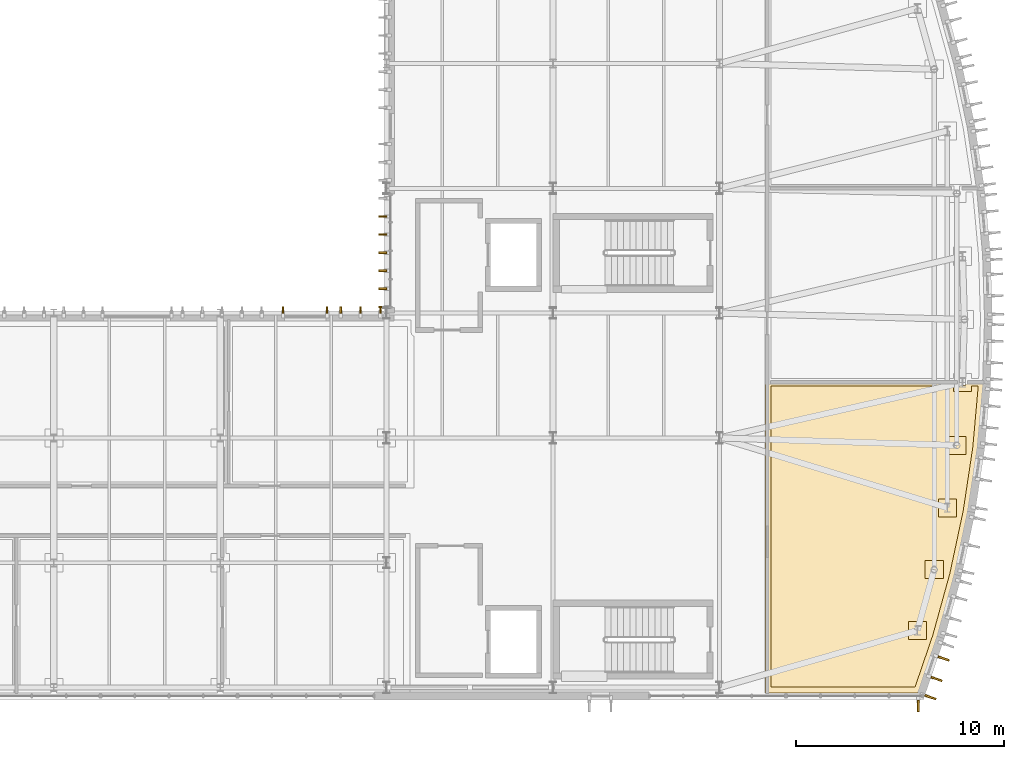
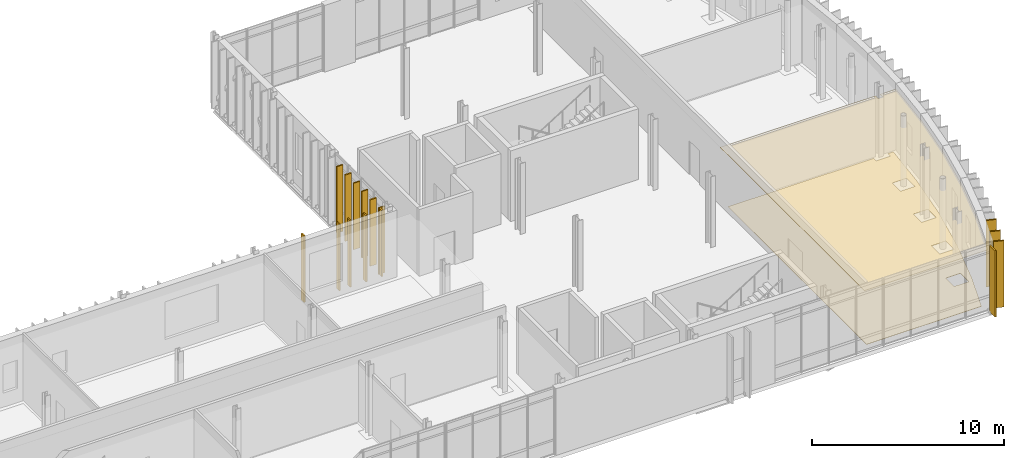
# One storey, part 98 of 100: 17 coverings.
"""IFC4 building model written with IfcOpenShell, lengths in metres."""

import ifcopenshell
import ifcopenshell.guid

model = None  # the IFC model being written
_history = None  # IfcOwnerHistory: only IFC2X3 demands one
_inside = {}  # id of a spatial element -> (the spatial element, [elements in it])
_under = {}  # id of a project, library or spatial element -> (it, [spatial elements below it])
_declared = {}  # id of a project -> (the project, [libraries it declares])
_typed = {}  # id of a type object -> (the type object, [elements of that type])
_made_of = {}  # id of a material, layer set ... -> (it, [elements and type objects made of it])


def new_model(schema):
    """Start an empty IFC model of exactly this schema.

    Asked for "IFC4X3", IfcOpenShell would pick the latest addendum, in which some entities
    have other attributes; the version numbers below select the first issue.
    IFC2X3 requires an IfcOwnerHistory on every rooted entity: one is made here for all.
    """
    global model, _history
    if schema == "IFC4X3":
        model = ifcopenshell.file(schema_version=(4, 3, 0, 0))
    else:
        model = ifcopenshell.file(schema=schema)
    _inside.clear()
    _under.clear()
    _declared.clear()
    _typed.clear()
    _made_of.clear()
    _history = None
    if model.schema == "IFC2X3":
        org = make("IfcOrganization", Name="unknown")
        user = make(
            "IfcPersonAndOrganization",
            ThePerson=make("IfcPerson", FamilyName="unknown"),
            TheOrganization=org,
        )
        app = make(
            "IfcApplication",
            ApplicationDeveloper=org,
            Version="unknown",
            ApplicationFullName="unknown",
            ApplicationIdentifier="unknown",
        )
        _history = make(
            "IfcOwnerHistory",
            OwningUser=user,
            OwningApplication=app,
            ChangeAction="ADDED",
            CreationDate=0,
        )
    return model


def make(cls, **values):
    """One entity of the class cls with the attributes given. An attribute that is None is left unset."""
    return model.create_entity(
        cls, **{name: value for name, value in values.items() if value is not None}
    )


def rooted(cls, **values):
    """An entity with a GlobalId (a new one), such as an element, a storey or a relation."""
    return make(cls, GlobalId=ifcopenshell.guid.new(), OwnerHistory=_history, **values)


def si_unit(unit_type, name, prefix=None):
    """IfcSIUnit, for example si_unit("LENGTHUNIT", "METRE", prefix="MILLI")."""
    return make("IfcSIUnit", UnitType=unit_type, Prefix=prefix, Name=name)


def assignment(units):
    """IfcUnitAssignment: the units of a project."""
    return None if units is None else make("IfcUnitAssignment", Units=units)


def point(xyz):
    """IfcCartesianPoint."""
    return None if xyz is None else make("IfcCartesianPoint", Coordinates=xyz)


def direction(xyz):
    """IfcDirection."""
    return None if xyz is None else make("IfcDirection", DirectionRatios=xyz)


def frame(location, z_axis=None, x_axis=None):
    """IfcAxis2Placement3D, a coordinate frame: its origin and axes. An axis left out is left unset."""
    return make(
        "IfcAxis2Placement3D",
        Location=point(location),
        Axis=direction(z_axis),
        RefDirection=direction(x_axis),
    )


def frame_2d(location, x_axis=None):
    """IfcAxis2Placement2D, a coordinate frame in the plane: its origin and x axis."""
    return make(
        "IfcAxis2Placement2D", Location=point(location), RefDirection=direction(x_axis)
    )


def origin():
    """The frame at (0, 0, 0) with its axes left unset."""
    return frame((0.0, 0.0, 0.0))


def origin_2d():
    """The frame at (0, 0) in the plane with its x axis left unset."""
    return frame_2d((0.0, 0.0))


def place(relative_to, where):
    """IfcLocalPlacement: puts the frame where relative to a parent placement (None: the world)."""
    return make(
        "IfcLocalPlacement", PlacementRelTo=relative_to, RelativePlacement=where
    )


def context(
    kind, dimensions, precision=None, world=None, true_north=None, identifier=None
):
    """IfcGeometricRepresentationContext, for example the 3D "Model" context."""
    return make(
        "IfcGeometricRepresentationContext",
        ContextIdentifier=identifier,
        ContextType=kind,
        CoordinateSpaceDimension=dimensions,
        Precision=precision,
        WorldCoordinateSystem=world,
        TrueNorth=true_north,
    )


def subcontext(parent, identifier, kind, view, scale=None):
    """IfcGeometricRepresentationSubContext, for example "Body" below "Model"."""
    return make(
        "IfcGeometricRepresentationSubContext",
        ContextIdentifier=identifier,
        ContextType=kind,
        ParentContext=parent,
        TargetScale=scale,
        TargetView=view,
    )


def project(units=None, contexts=None):
    """IfcProject with its units and contexts."""
    return rooted(
        "IfcProject",
        Name="project",
        RepresentationContexts=contexts,
        UnitsInContext=assignment(units),
    )


def spatial(cls, under=None, at=None, **own):
    """A site, building, storey or space (cls), placed at a placement, below another one or the project."""
    s = rooted(cls, ObjectPlacement=at, **own)
    if under is not None:
        _under.setdefault(under.id(), (under, []))[1].append(s)
    return s


def polyline(points):
    """IfcPolyline through the points."""
    return make("IfcPolyline", Points=[point(p) for p in points])


def profile(cls, at=None, kind="AREA", **sizes):
    """A parametric profile (cls). Its sizes go by their IFC names, for example OverallWidth=200.0."""
    return make(cls, ProfileType=kind, Position=at, **sizes)


def rectangle(**sizes):
    """IfcRectangleProfileDef."""
    return profile("IfcRectangleProfileDef", **sizes)


def outline(outer, holes=None, kind="AREA"):
    """IfcArbitraryClosedProfileDef: a profile drawn as a closed curve; with holes, ...WithVoids."""
    if holes is None:
        return make("IfcArbitraryClosedProfileDef", ProfileType=kind, OuterCurve=outer)
    return make(
        "IfcArbitraryProfileDefWithVoids",
        ProfileType=kind,
        OuterCurve=outer,
        InnerCurves=holes,
    )


def extrude(swept, where, along, depth):
    """IfcExtrudedAreaSolid: the profile swept, set in the frame where, extruded along a direction by depth."""
    return make(
        "IfcExtrudedAreaSolid",
        SweptArea=swept,
        Position=where,
        ExtrudedDirection=direction(along),
        Depth=depth,
    )


def shape(context_of_items, identifier, shape_type, items):
    """IfcShapeRepresentation: the items that make up one representation, for example the "Body"."""
    return make(
        "IfcShapeRepresentation",
        ContextOfItems=context_of_items,
        RepresentationIdentifier=identifier,
        RepresentationType=shape_type,
        Items=items,
    )


def material(Name=None, Category=None):
    """IfcMaterial."""
    return make("IfcMaterial", Name=Name, Category=Category)


def layer(
    of_material, thickness, ventilated=None, Name=None, Category=None, Priority=None
):
    """IfcMaterialLayer: one layer of a wall or slab, of a material (None: an air gap)."""
    return make(
        "IfcMaterialLayer",
        Material=of_material,
        LayerThickness=thickness,
        IsVentilated=ventilated,
        Name=Name,
        Category=Category,
        Priority=Priority,
    )


def layer_set(layers, Name=None):
    """IfcMaterialLayerSet."""
    return make("IfcMaterialLayerSet", MaterialLayers=layers, LayerSetName=Name)


def made_of(thing, what):
    """Note that an element or type object is made of a material, layer set ...; save() writes the relation."""
    if what is not None:
        _made_of.setdefault(what.id(), (what, []))[1].append(thing)
    return thing


def type_object(cls, material=None, **own):
    """A type object (cls), such as IfcWallType, which elements share."""
    return made_of(rooted(cls, **own), material)


def element(
    cls,
    number,
    at=None,
    inside=None,
    cuts=None,
    type_object=None,
    material=None,
    context=None,
    identifier="Body",
    shape_type=None,
    held_by="IfcProductDefinitionShape",
    body=None,
    shapes=None,
    **own,
):
    """One element of the class cls, such as IfcWall. Its Tag is "e" and its number.

    at: its placement. inside: the storey or other place that contains it. cuts: it is an
    opening in that element (IfcRelVoidsElement). A single representation is given by context,
    identifier, shape_type and body (its items); several are given by shapes. held_by: the class
    of the entity that holds the representations. save() writes the other relations.
    """
    e = rooted(cls, Tag="e%d" % number, ObjectPlacement=at, **own)
    if body is not None:
        shapes = [shape(context, identifier, shape_type, body)]
    if shapes is not None:
        e.Representation = make(held_by, Representations=shapes)
    if inside is not None:
        _inside.setdefault(inside.id(), (inside, []))[1].append(e)
    if cuts is not None:
        rooted(
            "IfcRelVoidsElement", RelatingBuildingElement=cuts, RelatedOpeningElement=e
        )
    if type_object is not None:
        _typed.setdefault(type_object.id(), (type_object, []))[1].append(e)
    return made_of(e, material)


def aggregate(whole, parts):
    """IfcRelAggregates: a whole, such as a stair, and the parts it consists of."""
    return rooted("IfcRelAggregates", RelatingObject=whole, RelatedObjects=parts)


def save(model, path):
    """Write the relations noted so far, then the file.

    IfcRelAggregates (storeys below a building ...), IfcRelContainedInSpatialStructure (elements
    in a storey), IfcRelDefinesByType, IfcRelAssociatesMaterial and IfcRelDeclares: one each for
    every whole, place, type object, material and project.
    """
    for whole, parts in _under.values():
        aggregate(whole, parts)
    for where, things in _inside.values():
        rooted(
            "IfcRelContainedInSpatialStructure",
            RelatedElements=things,
            RelatingStructure=where,
        )
    for kind, things in _typed.values():
        rooted("IfcRelDefinesByType", RelatedObjects=things, RelatingType=kind)
    for what, things in _made_of.values():
        rooted("IfcRelAssociatesMaterial", RelatedObjects=things, RelatingMaterial=what)
    for by, libraries in _declared.values():
        rooted("IfcRelDeclares", RelatingContext=by, RelatedDefinitions=libraries)
    model.write(path)


model = new_model("IFC4")

# Units and contexts
model_context = context("Model", 3, precision=1e-05, world=origin(), true_north=direction((0.0, 1.0)))
body_context = subcontext(model_context, "Body", "Model", "MODEL_VIEW")
ifc_project = project(units=[si_unit("LENGTHUNIT", "METRE"), si_unit("AREAUNIT", "SQUARE_METRE"), si_unit("VOLUMEUNIT", "CUBIC_METRE"), si_unit("PLANEANGLEUNIT", "RADIAN"), si_unit("MASSUNIT", "GRAM", prefix="KILO")], contexts=[model_context])

# Site, building, storey
site_placement = place(None, origin())
site = spatial("IfcSite", under=ifc_project, at=site_placement, CompositionType="ELEMENT")
building_placement = place(site_placement, origin())
building = spatial("IfcBuilding", under=site, at=building_placement, Name="Cymarion Research Institute", CompositionType="ELEMENT")
storey_placement = place(building_placement, frame((0.0, 0.0, 9.300048828125)))
storey = spatial("IfcBuildingStorey", under=building, at=storey_placement, Name="L02", CompositionType="ELEMENT", Elevation=9.300048828125)

# Coverings
ifc_material_1 = material(Name="Micro-perforated mineral acoustic ceiling tile", Category="gypsum")
ifc_layer_1 = layer(ifc_material_1, 0.030029296875)
ifc_layer_set_1 = layer_set([ifc_layer_1], Name="Micro-perforated mineral acoustic ceiling tile")
covering_type_1 = type_object("IfcCoveringType", Name="ACOUSTIC MICRO-PERFORATED SUSPENDED CEILING CLG-01", PredefinedType="CEILING", material=ifc_layer_set_1)
covering_1_placement = place(storey_placement, frame((0.0, 0.0, 3.699951171875)))
element("IfcCovering", 1, at=covering_1_placement, inside=storey, type_object=covering_type_1, Name="L02 L02 Curved Prow Wet Synthesis Laboratory acoustic ceiling", PredefinedType="CEILING", context=body_context, shape_type="SweptSolid", body=[
    extrude(outline(polyline([(166.150390625, 20.294921875), (166.150390625, 20.031005859375), (166.42041015625, 20.031005859375), (166.42041015625, 20.294921875), (167.371826171875, 20.294921875), (167.080078125, 17.014404296875), (166.617431640625, 13.94921875), (165.971923828125, 10.91748046875), (165.14599609375, 7.9296875), (164.22412109375, 5.235107421875), (156.784912109375, 5.235107421875), (156.784912109375, 20.294921875), (166.150390625, 20.294921875)])), origin(), (0.0, 0.0, 1.0), 0.030029296875),
])
ifc_material_2 = material(Name="Precast concrete C45/55 architectural white", Category="concrete")
ifc_layer_2 = layer(ifc_material_2, 0.090087890625)
ifc_layer_set_2 = layer_set([ifc_layer_2], Name="Precast concrete C45/55 architectural white")
covering_type_2 = type_object("IfcCoveringType", Name="ARCHITECTURAL WHITE PRECAST CONCRETE VERTICAL FIN FIN1 560MM", PredefinedType="CLADDING", material=ifc_layer_set_2)
for number, where, z_axis, x_axis, name in (
    (2, (164.159912109375, 4.617919921875, 0.010009765625), (0.0, 0.0, 1.0), (0.0, -1.0, 0.0), "L02 V1 white precast vertical fin FIN1 #213"),
    (3, (164.744384765625, 5.035888671875, 0.010009765625), (0.0, 0.0, 1.0), (0.946141878672, -0.32375229022, 0.0), "L02 V1 white precast vertical fin FIN1 #214"),
    (4, (165.043701171875, 5.91064453125, 0.010009765625), (0.0, 0.0, 1.0), (0.946141878672, -0.32375229022, 0.0), "L02 V1 white precast vertical fin FIN1 #215"),
    (5, (165.380615234375, 6.89453125, 0.010009765625), (0.0, 0.0, 1.0), (0.946141878672, -0.32375229022, 0.0), "L02 V1 white precast vertical fin FIN1 #216"),
):
    element("IfcCovering", number, at=place(storey_placement, frame(where, z_axis=z_axis, x_axis=x_axis)), inside=storey, type_object=covering_type_2, Name=name, PredefinedType="CLADDING", context=body_context, shape_type="SweptSolid", body=[
        extrude(rectangle(XDim=0.56005859375, YDim=0.090087890625, at=origin_2d()), origin(), (0.0, 0.0, 1.0), 4.22998046875),
    ])
ifc_layer_3 = layer(ifc_material_2, 0.0849609375)
ifc_layer_set_3 = layer_set([ifc_layer_3], Name="Precast concrete C45/55 architectural white")
covering_type_3 = type_object("IfcCoveringType", Name="ARCHITECTURAL WHITE PRECAST CONCRETE VERTICAL FIN FIN3 380MM", PredefinedType="CLADDING", material=ifc_layer_set_3)
for number, where, z_axis, x_axis, name in (
    (6, (138.407958984375, 28.14990234375, 0.010009765625), (0.0, 0.0, 1.0), (-1.0, 0.0, 0.0), "L02 V1 white precast vertical fin FIN3 #278"),
    (7, (138.407958984375, 27.280029296875, 0.010009765625), (0.0, 0.0, 1.0), (-1.0, 0.0, 0.0), "L02 V1 white precast vertical fin FIN3 #279"),
    (8, (138.407958984375, 26.409912109375, 0.010009765625), (0.0, 0.0, 1.0), (-1.0, 0.0, 0.0), "L02 V1 white precast vertical fin FIN3 #280"),
    (9, (138.407958984375, 25.5400390625, 0.010009765625), (0.0, 0.0, 1.0), (-1.0, 0.0, 0.0), "L02 V1 white precast vertical fin FIN3 #281"),
    (10, (138.407958984375, 24.669921875, 0.010009765625), (0.0, 0.0, 1.0), (-1.0, 0.0, 0.0), "L02 V1 white precast vertical fin FIN3 #282"),
    (11, (138.407958984375, 23.800048828125, 0.010009765625), (0.0, 0.0, 1.0), (-1.0, 0.0, 0.0), "L02 V1 white precast vertical fin FIN3 #283"),
):
    element("IfcCovering", number, at=place(storey_placement, frame(where, z_axis=z_axis, x_axis=x_axis)), inside=storey, type_object=covering_type_3, Name=name, PredefinedType="CLADDING", context=body_context, shape_type="SweptSolid", body=[
        extrude(rectangle(XDim=0.3798828125, YDim=0.0849609375, at=origin_2d()), origin(), (0.0, 0.0, 1.0), 4.22998046875),
    ])
ifc_layer_4 = layer(ifc_material_2, 0.080078125)
ifc_layer_set_4 = layer_set([ifc_layer_4], Name="Precast concrete C45/55 architectural white")
covering_type_4 = type_object("IfcCoveringType", Name="ARCHITECTURAL WHITE PRECAST CONCRETE VERTICAL FIN FIN4 300MM", PredefinedType="CLADDING", material=ifc_layer_set_4)
for number, where, z_axis, x_axis, name in (
    (12, (138.300048828125, 23.652099609375, 0.010009765625), (0.0, 0.0, 1.0), (0.0, 1.0, 0.0), "L02 V1 white precast vertical fin FIN4 #284"),
    (13, (137.3486328125, 23.652099609375, 0.010009765625), (0.0, 0.0, 1.0), (0.0, 1.0, 0.0), "L02 V1 white precast vertical fin FIN4 #285"),
    (14, (136.397216796875, 23.652099609375, 0.010009765625), (0.0, 0.0, 1.0), (0.0, 1.0, 0.0), "L02 V1 white precast vertical fin FIN4 #286"),
    (15, (135.739990234375, 23.652099609375, 0.010009765625), (0.0, 0.0, 1.0), (0.0, 1.0, 0.0), "L02 V1 white precast vertical fin FIN4 #287"),
    (16, (133.6201171875, 23.652099609375, 0.010009765625), (0.0, 0.0, 1.0), (0.0, 1.0, 0.0), "L02 V1 white precast vertical fin FIN4 #288"),
):
    element("IfcCovering", number, at=place(storey_placement, frame(where, z_axis=z_axis, x_axis=x_axis)), inside=storey, type_object=covering_type_4, Name=name, PredefinedType="CLADDING", context=body_context, shape_type="SweptSolid", body=[
        extrude(rectangle(XDim=0.300048828125, YDim=0.080078125, at=origin_2d()), origin(), (0.0, 0.0, 1.0), 4.22998046875),
    ])
ifc_material_3 = material(Name="Seamless dissipative epoxy resin flooring", Category="resin")
ifc_layer_5 = layer(ifc_material_3, 0.02001953125)
ifc_layer_set_5 = layer_set([ifc_layer_5], Name="Seamless dissipative epoxy resin flooring")
covering_type_5 = type_object("IfcCoveringType", Name="SEAMLESS ESD EPOXY LABORATORY FLOORING FLR-01", PredefinedType="FLOORING", material=ifc_layer_set_5)
covering_2_placement = place(storey_placement, origin())
element("IfcCovering", 17, at=covering_2_placement, inside=storey, type_object=covering_type_5, Name="L02 L02 Curved Prow Wet Synthesis Laboratory ESD epoxy flooring", PredefinedType="FLOORING", context=body_context, shape_type="SweptSolid", body=[
    extrude(outline(polyline([(157.0849609375, 19.9951171875), (165.8505859375, 19.9951171875), (165.8505859375, 19.73095703125), (166.720458984375, 19.73095703125), (166.720458984375, 19.9951171875), (167.0439453125, 19.9951171875), (166.7822265625, 17.050048828125), (166.322021484375, 14.0029296875), (165.680419921875, 10.98876953125), (164.859130859375, 8.018310546875), (164.009521484375, 5.534912109375), (157.0849609375, 5.534912109375), (157.0849609375, 19.9951171875)]), holes=[polyline([(166.447998046875, 17.577880859375), (165.577880859375, 17.577880859375), (165.577880859375, 16.707763671875), (166.447998046875, 16.707763671875), (166.447998046875, 17.577880859375)]), polyline([(165.994873046875, 14.576416015625), (165.125, 14.576416015625), (165.125, 13.70654296875), (165.994873046875, 13.70654296875), (165.994873046875, 14.576416015625)]), polyline([(165.36279296875, 11.607666015625), (164.492919921875, 11.607666015625), (164.492919921875, 10.73779296875), (165.36279296875, 10.73779296875), (165.36279296875, 11.607666015625)]), polyline([(164.553955078125, 8.681884765625), (163.68408203125, 8.681884765625), (163.68408203125, 7.81201171875), (164.553955078125, 7.81201171875), (164.553955078125, 8.681884765625)])]), origin(), (0.0, 0.0, 1.0), 0.02001953125),
])

save(model, "model.ifc")
